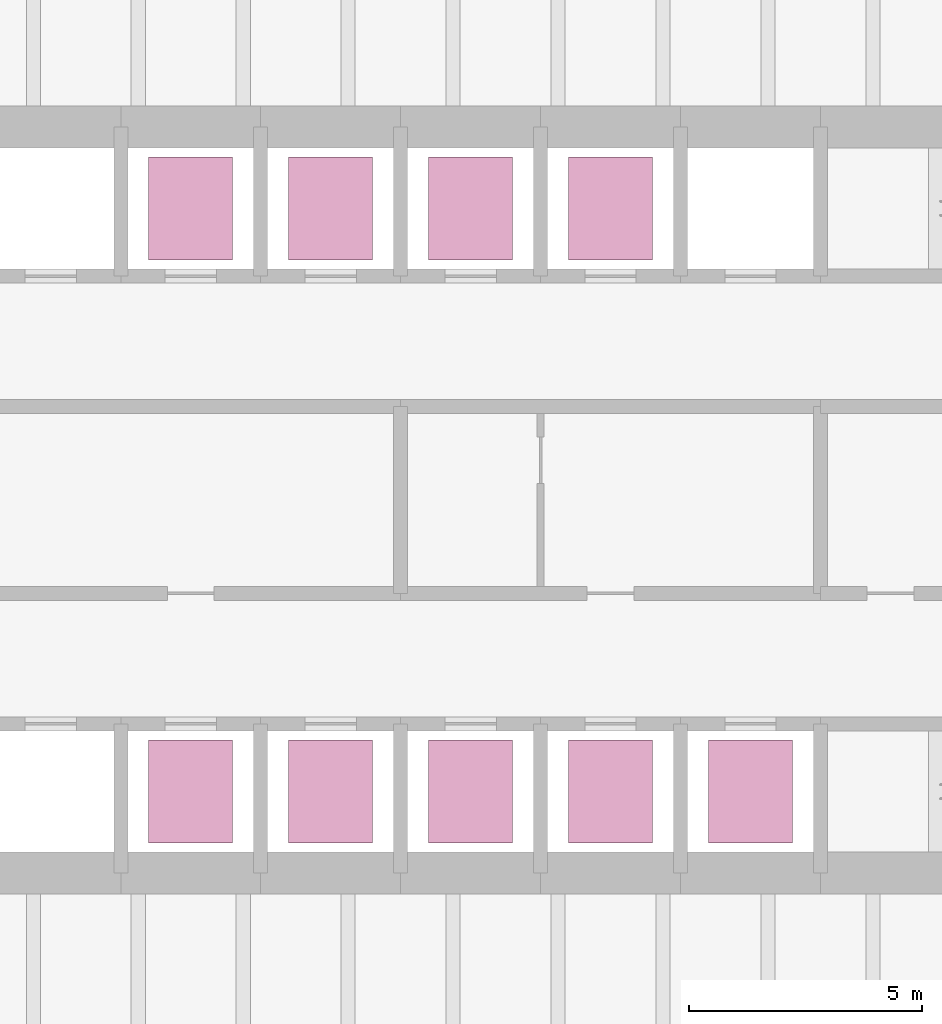
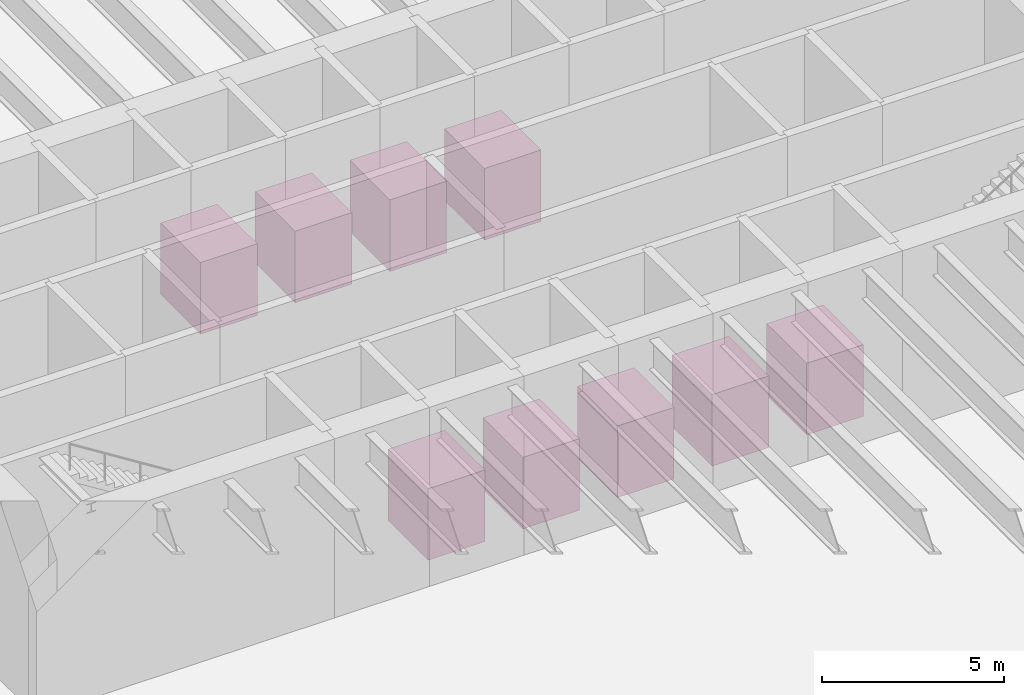
# One storey, part 17 of 17: 9 transport elements.
"""IFC4 building model written with IfcOpenShell, lengths in metres."""

from ifc_helpers import new_model, si_unit, direction, frame, origin, origin_2d, place, context, subcontext, project, spatial, rectangle, extrude, material, type_object, element, save


model = new_model("IFC4")

# Units and contexts
model_context = context("Model", 3, precision=1e-05, world=origin(), true_north=direction((0.0, 1.0)))
body_context = subcontext(model_context, "Body", "Model", "MODEL_VIEW")
ifc_project = project(units=[si_unit("LENGTHUNIT", "METRE"), si_unit("AREAUNIT", "SQUARE_METRE"), si_unit("VOLUMEUNIT", "CUBIC_METRE"), si_unit("PLANEANGLEUNIT", "RADIAN"), si_unit("MASSUNIT", "GRAM", prefix="KILO")], contexts=[model_context])

# Site, building, storey
site_placement = place(None, origin())
site = spatial("IfcSite", under=ifc_project, at=site_placement, CompositionType="ELEMENT")
building_placement = place(site_placement, origin())
building = spatial("IfcBuilding", under=site, at=building_placement, Name="Rheinbord Bourse Tower", CompositionType="ELEMENT")
storey_placement = place(building_placement, origin())
storey = spatial("IfcBuildingStorey", under=building, at=storey_placement, Name="L00", CompositionType="ELEMENT", Elevation=0.0)

# Transport elements
ifc_material = material(Name="Lift car steel and glass", Category="steel")
transport_element_type = type_object("IfcTransportElementType", Name="LIFT CAR", PredefinedType="ELEVATOR", material=ifc_material)
for number, where, z_axis, x_axis, name in (
    (1, (40.5, 17.75, 0.0), (0.0, 0.0, 1.0), (1.0, 0.0, 0.0), "Lift SL1"),
    (2, (43.5, 17.75, 0.0), (0.0, 0.0, 1.0), (1.0, 0.0, 0.0), "Lift SL2"),
    (3, (37.5, 30.25, 0.0), (0.0, 0.0, 1.0), (1.0, 0.0, 0.0), "Lift SL3"),
    (4, (40.5, 30.25, 0.0), (0.0, 0.0, 1.0), (1.0, 0.0, 0.0), "Lift SL4"),
    (5, (31.5, 17.75, 0.0), (0.0, 0.0, 1.0), (1.0, 0.0, 0.0), "Lift PA1"),
    (6, (34.5, 17.75, 0.0), (0.0, 0.0, 1.0), (1.0, 0.0, 0.0), "Lift PA2"),
    (7, (37.5, 17.75, 0.0), (0.0, 0.0, 1.0), (1.0, 0.0, 0.0), "Lift PA3"),
    (8, (31.5, 30.25, 0.0), (0.0, 0.0, 1.0), (1.0, 0.0, 0.0), "Lift PA4"),
    (9, (34.5, 30.25, 0.0), (0.0, 0.0, 1.0), (1.0, 0.0, 0.0), "Lift PA5"),
):
    element("IfcTransportElement", number, at=place(storey_placement, frame(where, z_axis=z_axis, x_axis=x_axis)), inside=storey, type_object=transport_element_type, Name=name, PredefinedType="ELEVATOR", context=body_context, shape_type="SweptSolid", body=[
        extrude(rectangle(XDim=1.800048828125, YDim=2.199951171875, at=origin_2d()), origin(), (0.0, 0.0, 1.0), 2.39990234375),
    ])

save(model, "model.ifc")
